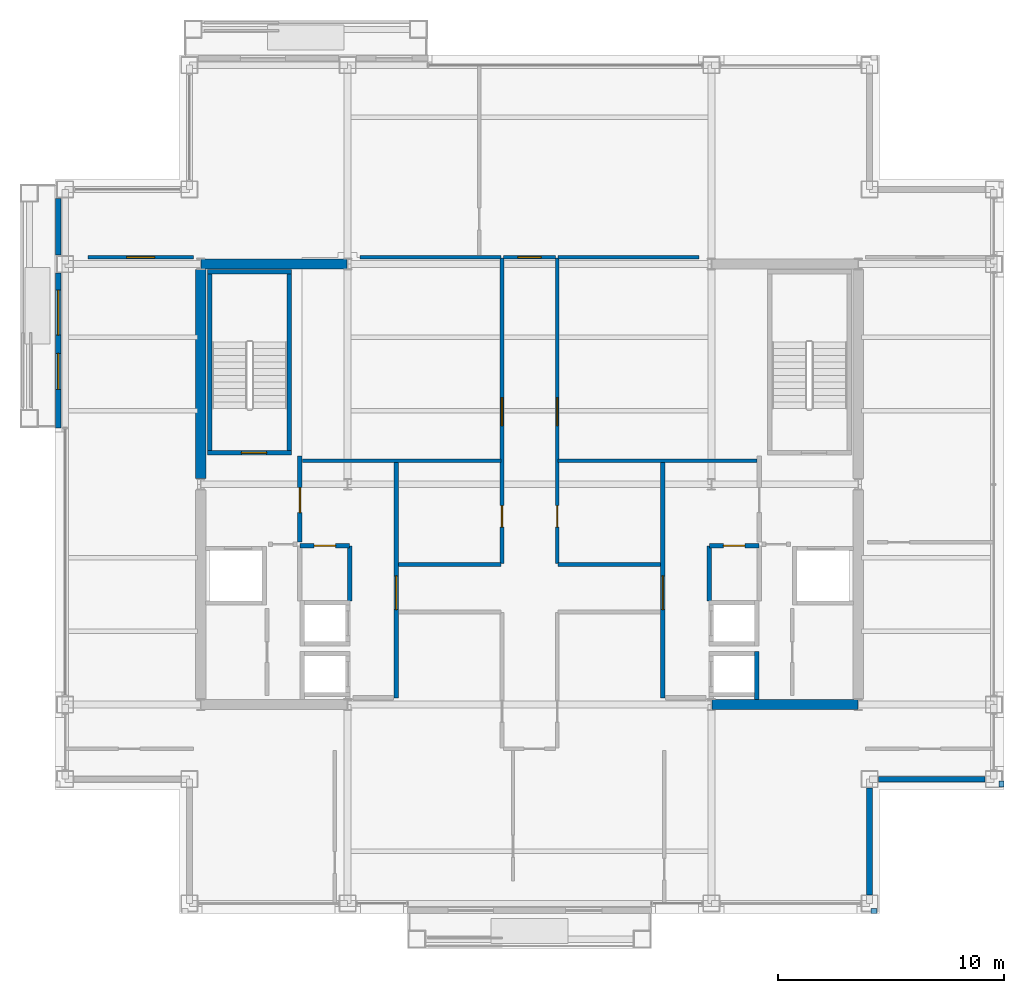
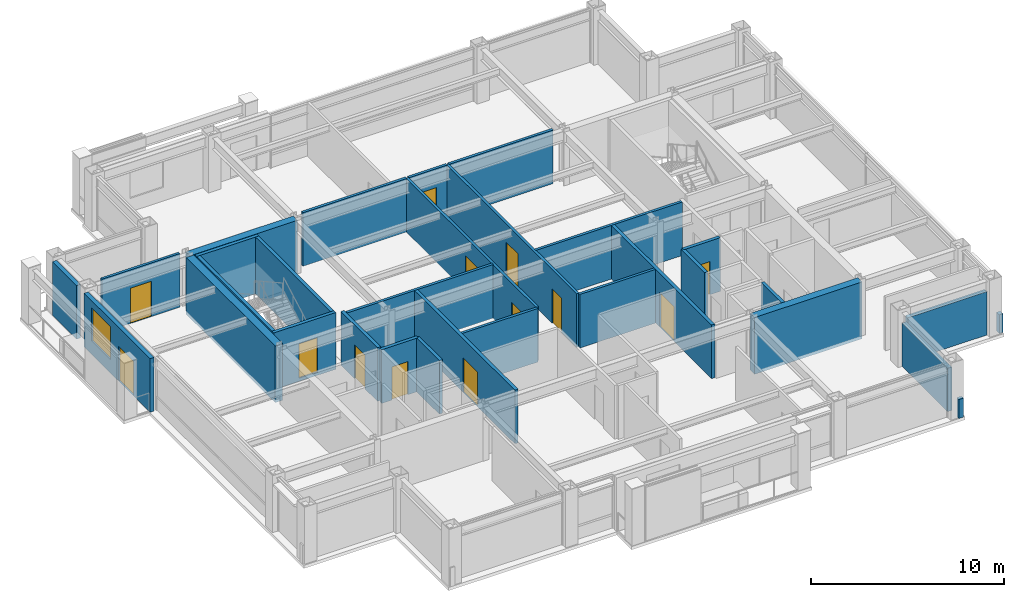
# One storey, part 24 of 27: 31 walls, 13 doors, 1 window, 14 openings.
"""IFC4 building model written with IfcOpenShell, lengths in metres."""

from ifc_helpers import new_model, si_unit, direction, frame, frame_2d, origin, place, context, subcontext, project, spatial, rectangle, extrude, material, layer, layer_set, type_object, element, fill, save


model = new_model("IFC4")

# Units and contexts
model_context = context("Model", 3, precision=1e-05, world=origin(), true_north=direction((0.0, 1.0)))
body_context = subcontext(model_context, "Body", "Model", "MODEL_VIEW")
ifc_project = project(units=[si_unit("LENGTHUNIT", "METRE"), si_unit("AREAUNIT", "SQUARE_METRE"), si_unit("VOLUMEUNIT", "CUBIC_METRE"), si_unit("PLANEANGLEUNIT", "RADIAN"), si_unit("MASSUNIT", "GRAM", prefix="KILO")], contexts=[model_context])

# Site, building, storey
site_placement = place(None, origin())
site = spatial("IfcSite", under=ifc_project, at=site_placement, CompositionType="ELEMENT")
building_placement = place(site_placement, origin())
building = spatial("IfcBuilding", under=site, at=building_placement, Name="Brelmoor Portico Tower", CompositionType="ELEMENT")
storey_placement = place(building_placement, frame((0.0, 0.0, 158.699951171875)))
storey = spatial("IfcBuildingStorey", under=building, at=storey_placement, Name="L41", CompositionType="ELEMENT", Elevation=158.699951171875)

# Walls
ifc_material_1 = material(Name="Concrete C50", Category="concrete")
ifc_layer_1 = layer(ifc_material_1, 0.449951171875)
ifc_layer_set_1 = layer_set([ifc_layer_1], Name="Concrete C50")
wall_type_1 = type_object("IfcWallType", Name="WL-CORE-450", PredefinedType="SHEAR", material=ifc_layer_set_1)
wall_1_placement = place(storey_placement, frame((-14.530029296875, 9.75, -0.199951171875), z_axis=(0.0, 0.0, 1.0), x_axis=(1.0, 0.0, 0.0)))
element("IfcWall", 1, at=wall_1_placement, inside=storey, type_object=wall_type_1, Name="L41 WC North Shear Wall", PredefinedType="SHEAR", context=body_context, shape_type="SweptSolid", body=[
    extrude(rectangle(XDim=6.4599609375, YDim=0.449951171875, at=frame_2d((3.22998046875, 0.0))), origin(), (0.0, 0.0, 1.0), 3.60009765625),
])
wall_2_placement = place(storey_placement, frame((-14.550048828125, 0.25, -0.199951171875), z_axis=(0.0, 0.0, 1.0), x_axis=(0.0, 1.0, 0.0)))
element("IfcWall", 2, at=wall_2_placement, inside=storey, type_object=wall_type_1, Name="L41 WC Outer North Shear Wall", PredefinedType="SHEAR", context=body_context, shape_type="SweptSolid", body=[
    extrude(rectangle(XDim=9.25, YDim=0.449951171875, at=frame_2d((4.625, 0.0))), origin(), (0.0, 0.0, 1.0), 3.60009765625),
])
wall_3_placement = place(storey_placement, frame((8.070068359375, -9.75, -0.199951171875), z_axis=(0.0, 0.0, 1.0), x_axis=(1.0, 0.0, 0.0)))
element("IfcWall", 3, at=wall_3_placement, inside=storey, type_object=wall_type_1, Name="L41 EC South Shear Wall", PredefinedType="SHEAR", context=body_context, shape_type="SweptSolid", body=[
    extrude(rectangle(XDim=6.4599609375, YDim=0.449951171875, at=frame_2d((3.22998046875, 0.0))), origin(), (0.0, 0.0, 1.0), 3.60009765625),
])

# Wall, openings, door, window
ifc_material_2 = material(Name="Precast Concrete C40 Insulated Facade Wall", Category="concrete")
ifc_layer_2 = layer(ifc_material_2, 0.25)
ifc_layer_set_2 = layer_set([ifc_layer_2], Name="Precast Concrete C40 Insulated Facade Wall")
wall_type_2 = type_object("IfcWallType", Name="WL-EXT-250", PredefinedType="STANDARD", material=ifc_layer_set_2)
wall_4_placement = place(storey_placement, frame((-20.860107421875, 2.5, 0.0), z_axis=(0.0, 0.0, 1.0), x_axis=(0.0, 1.0, 0.0)))
wall_4 = element("IfcWall", 4, at=wall_4_placement, inside=storey, type_object=wall_type_2, Name="L41 Loggia Threshold Wall W-1", PredefinedType="STANDARD", context=body_context, shape_type="SweptSolid", body=[
    extrude(rectangle(XDim=6.85498046875, YDim=0.25, at=frame_2d((3.427490234375, 0.0))), origin(), (0.0, 0.0, 1.0), 3.400146484375),
])
opening_1_placement = place(wall_4_placement, frame((1.699951171875, 0.0, 0.0)))
opening_1 = element("IfcOpeningElement", 5, at=opening_1_placement, cuts=wall_4, Name="Opening D-TB1", PredefinedType="OPENING", context=body_context, shape_type="SweptSolid", body=[
    extrude(rectangle(XDim=1.60009765625, YDim=2.199951171875, at=frame_2d((0.800048828125, 1.10009765625))), frame((0.0, 0.135009765625, 0.0), z_axis=(0.0, -1.0, 0.0), x_axis=(1.0, 0.0, 0.0)), (0.0, 0.0, 1.0), 0.27001953125),
])
opening_2_placement = place(wall_4_placement, frame((4.10009765625, 0.0, 0.85009765625)))
opening_2 = element("IfcOpeningElement", 6, at=opening_2_placement, cuts=wall_4, Name="Opening W-03", PredefinedType="OPENING", context=body_context, shape_type="SweptSolid", body=[
    extrude(rectangle(XDim=2.0, YDim=2.10009765625, at=frame_2d((1.0, 1.050048828125))), frame((0.0, 0.135009765625, 0.0), z_axis=(0.0, -1.0, 0.0), x_axis=(1.0, 0.0, 0.0)), (0.0, 0.0, 1.0), 0.27001953125),
])
ifc_material_3 = material(Name="Double-Leaf Thermally Broken Terrace Door", Category="aluminium")
door_type_1 = type_object("IfcDoorType", Name="DR-BALCONY-1600", OperationType="NOTDEFINED", PredefinedType="DOOR", material=ifc_material_3)
door_1_placement = place(opening_1_placement, origin())
door_1 = element("IfcDoor", 7, at=door_1_placement, inside=storey, type_object=door_type_1, Name="D-1773 L41 Tree Balcony Double Door W", OperationType="DOUBLE_DOOR_SINGLE_SWING", OverallHeight=2.199951171875, OverallWidth=1.60009765625, PredefinedType="DOOR", context=body_context, shape_type="SweptSolid", body=[
    extrude(rectangle(XDim=1.60009765625, YDim=2.199951171875, at=frame_2d((0.800048828125, 1.10009765625))), frame((0.0, 0.02490234375, 0.0), z_axis=(0.0, -1.0, 0.0), x_axis=(1.0, 0.0, 0.0)), (0.0, 0.0, 1.0), 0.050048828125),
])
fill(opening_1, door_1)
ifc_material_4 = material(Name="Thermally Broken Aluminium Low-E Window", Category="aluminium")
window_type = type_object("IfcWindowType", Name="WN-LOGGIA-2000x2100", PartitioningType="SINGLE_PANEL", PredefinedType="WINDOW", material=ifc_material_4)
window_placement = place(opening_2_placement, origin())
window = element("IfcWindow", 8, at=window_placement, inside=storey, type_object=window_type, Name="L41 Loggia Window W", OverallHeight=2.10009765625, OverallWidth=2.0, PartitioningType="SINGLE_PANEL", PredefinedType="WINDOW", context=body_context, shape_type="SweptSolid", body=[
    extrude(rectangle(XDim=2.0, YDim=2.10009765625, at=frame_2d((1.0, 1.050048828125))), frame((0.0, 0.030029296875, 0.0), z_axis=(0.0, -1.0, 0.0), x_axis=(1.0, 0.0, 0.0)), (0.0, 0.0, 1.0), 0.06005859375),
])
fill(opening_2, window)

# Walls
wall_5_placement = place(storey_placement, frame((-20.860107421875, 10.14501953125, 0.0), z_axis=(0.0, 0.0, 1.0), x_axis=(0.0, 1.0, 0.0)))
element("IfcWall", 9, at=wall_5_placement, inside=storey, type_object=wall_type_2, Name="L41 Loggia Threshold Wall W-2", PredefinedType="STANDARD", context=body_context, shape_type="SweptSolid", body=[
    extrude(rectangle(XDim=2.510009765625, YDim=0.25, at=frame_2d((1.2548828125, 0.0))), origin(), (0.0, 0.0, 1.0), 3.400146484375),
])
for number, where, z_axis, x_axis, name in (
    (10, (15.43505859375, -13.050048828125, 0.0), (0.0, 0.0, 1.0), (1.0, 0.0, 0.0), "L41 Corner Notch Facade Wall NSEH1"),
    (11, (15.050048828125, -18.1650390625, 0.0), (0.0, 0.0, 1.0), (0.0, 1.0, 0.0), "L41 Corner Notch Facade Wall NSEV1"),
):
    element("IfcWall", number, at=place(storey_placement, frame(where, z_axis=z_axis, x_axis=x_axis)), inside=storey, type_object=wall_type_2, Name=name, PredefinedType="STANDARD", context=body_context, shape_type="SweptSolid", body=[
        extrude(rectangle(XDim=4.72998046875, YDim=0.25, at=frame_2d((2.364990234375, 0.0))), origin(), (0.0, 0.0, 1.0), 2.75),
    ])
ifc_material_5 = material(Name="Concrete C40 Parapet Upstand", Category="concrete")
ifc_layer_3 = layer(ifc_material_5, 0.219970703125)
ifc_layer_set_3 = layer_set([ifc_layer_3], Name="Concrete C40 Parapet Upstand")
wall_type_3 = type_object("IfcWallType", Name="WL-PARAPET-220", PredefinedType="PARAPET", material=ifc_layer_set_3)
for number, where, z_axis, x_axis, name in (
    (12, (15.1201171875, -18.889892578125, 0.0), (0.0, 0.0, 1.0), (1.0, 0.0, 0.0), "L41 Chamfer Vertex Parapet Pier SE1"),
    (13, (20.889892578125, -13.389892578125, 0.0), (0.0, 0.0, 1.0), (0.0, 1.0, 0.0), "L41 Chamfer Vertex Parapet Pier SE2"),
):
    element("IfcWall", number, at=place(storey_placement, frame(where, z_axis=z_axis, x_axis=x_axis)), inside=storey, type_object=wall_type_3, Name=name, PredefinedType="PARAPET", context=body_context, shape_type="SweptSolid", body=[
        extrude(rectangle(XDim=0.269775390625, YDim=0.219970703125, at=frame_2d((0.134765625, 0.0))), origin(), (0.0, 0.0, 1.0), 1.199951171875),
    ])

# Wall, opening, door
ifc_material_6 = material(Name="Wet-Area Moisture-Resistant Partition", Category="gypsum")
ifc_layer_4 = layer(ifc_material_6, 0.14990234375)
ifc_layer_set_4 = layer_set([ifc_layer_4], Name="Wet-Area Moisture-Resistant Partition")
wall_type_4 = type_object("IfcWallType", Name="WL-PART-150", PredefinedType="PARTITIONING", material=ifc_layer_set_4)
wall_6_placement = place(storey_placement, frame((-19.550048828125, 10.050048828125, 0.0), z_axis=(0.0, 0.0, 1.0), x_axis=(1.0, 0.0, 0.0)))
wall_6 = element("IfcWall", 14, at=wall_6_placement, inside=storey, type_object=wall_type_4, Name="L41 North Wing Suite Wall WL", PredefinedType="PARTITIONING", context=body_context, shape_type="SweptSolid", body=[
    extrude(rectangle(XDim=4.670166015625, YDim=0.14990234375, at=frame_2d((2.3349609375, 0.0))), origin(), (0.0, 0.0, 1.0), 3.400146484375),
])
opening_3_placement = place(wall_6_placement, frame((1.715087890625, 0.0, 0.0)))
opening_3 = element("IfcOpeningElement", 15, at=opening_3_placement, cuts=wall_6, Name="Opening D-SU1", PredefinedType="OPENING", context=body_context, shape_type="SweptSolid", body=[
    extrude(rectangle(XDim=1.239990234375, YDim=2.239990234375, at=frame_2d((0.6201171875, 1.1201171875))), frame((0.0, 0.0849609375, 0.0), z_axis=(0.0, -1.0, 0.0), x_axis=(1.0, 0.0, 0.0)), (0.0, 0.0, 1.0), 0.169921875),
])
ifc_material_7 = material(Name="Glazed Timber Executive Suite Door", Category="wood")
door_type_2 = type_object("IfcDoorType", Name="DR-SUITE-1200", OperationType="NOTDEFINED", PredefinedType="DOOR", material=ifc_material_7)
door_2_placement = place(opening_3_placement, origin())
door_2 = element("IfcDoor", 16, at=door_2_placement, inside=storey, type_object=door_type_2, Name="D-1762 L41 WL Wing Suite Connecting Door", OperationType="SINGLE_SWING_LEFT", OverallHeight=2.239990234375, OverallWidth=1.239990234375, PredefinedType="DOOR", context=body_context, shape_type="SweptSolid", body=[
    extrude(rectangle(XDim=1.239990234375, YDim=2.239990234375, at=frame_2d((0.6201171875, 1.1201171875))), frame((0.0, 0.02490234375, 0.0), z_axis=(0.0, -1.0, 0.0), x_axis=(1.0, 0.0, 0.0)), (0.0, 0.0, 1.0), 0.050048828125),
])
fill(opening_3, door_2)

# Wall
ifc_material_8 = material(Name="Twin-Frame Acoustic Partition", Category="gypsum")
ifc_layer_5 = layer(ifc_material_8, 0.159912109375)
ifc_layer_set_5 = layer_set([ifc_layer_5], Name="Twin-Frame Acoustic Partition")
wall_type_5 = type_object("IfcWallType", Name="WL-PART-160", PredefinedType="PARTITIONING", material=ifc_layer_set_5)
wall_7_placement = place(storey_placement, frame((-10.050048828125, 1.050048828125, 0.0), z_axis=(0.0, 0.0, 1.0), x_axis=(1.0, 0.0, 0.0)))
element("IfcWall", 17, at=wall_7_placement, inside=storey, type_object=wall_type_5, Name="L41 West Reclaimed Suite South Wall", PredefinedType="PARTITIONING", context=body_context, shape_type="SweptSolid", body=[
    extrude(rectangle(XDim=8.7900390625, YDim=0.159912109375, at=frame_2d((4.39501953125, 0.0))), origin(), (0.0, 0.0, 1.0), 3.400146484375),
])

# Wall, openings, doors
wall_8_placement = place(storey_placement, frame((-1.219970703125, -3.5, 0.0), z_axis=(0.0, 0.0, 1.0), x_axis=(0.0, 1.0, 0.0)))
wall_8 = element("IfcWall", 18, at=wall_8_placement, inside=storey, type_object=wall_type_5, Name="L41 Central Cross West Wall", PredefinedType="PARTITIONING", context=body_context, shape_type="SweptSolid", body=[
    extrude(rectangle(XDim=13.510009765625, YDim=0.159912109375, at=frame_2d((6.7548828125, 0.0))), origin(), (0.0, 0.0, 1.0), 3.400146484375),
])
opening_4_placement = place(wall_8_placement, frame((6.10009765625, 0.0, 0.0)))
opening_4 = element("IfcOpeningElement", 19, at=opening_4_placement, cuts=wall_8, Name="Opening D-SU1", PredefinedType="OPENING", context=body_context, shape_type="SweptSolid", body=[
    extrude(rectangle(XDim=1.239990234375, YDim=2.239990234375, at=frame_2d((0.6201171875, 1.1201171875))), frame((0.0, 0.08984375, 0.0), z_axis=(0.0, -1.0, 0.0), x_axis=(1.0, 0.0, 0.0)), (0.0, 0.0, 1.0), 0.179931640625),
])
opening_5_placement = place(wall_8_placement, frame((1.60009765625, 0.0, 0.0)))
opening_5 = element("IfcOpeningElement", 20, at=opening_5_placement, cuts=wall_8, Name="Opening D-IN2", PredefinedType="OPENING", context=body_context, shape_type="SweptSolid", body=[
    extrude(rectangle(XDim=0.9599609375, YDim=2.179931640625, at=frame_2d((0.47998046875, 1.08984375))), frame((0.0, 0.08984375, 0.0), z_axis=(0.0, -1.0, 0.0), x_axis=(1.0, 0.0, 0.0)), (0.0, 0.0, 1.0), 0.179931640625),
])
ifc_material_9 = material(Name="Lacquered Timber Suite Door", Category="wood")
door_type_3 = type_object("IfcDoorType", Name="DR-INT-950", OperationType="NOTDEFINED", PredefinedType="DOOR", material=ifc_material_9)
door_3_placement = place(opening_5_placement, origin())
door_3 = element("IfcDoor", 21, at=door_3_placement, inside=storey, type_object=door_type_3, Name="D-1747 L41 Staff Pantry Door", OperationType="SINGLE_SWING_RIGHT", OverallHeight=2.179931640625, OverallWidth=0.9599609375, PredefinedType="DOOR", context=body_context, shape_type="SweptSolid", body=[
    extrude(rectangle(XDim=0.9599609375, YDim=2.179931640625, at=frame_2d((0.47998046875, 1.08984375))), frame((0.0, 0.02490234375, 0.0), z_axis=(0.0, -1.0, 0.0), x_axis=(1.0, 0.0, 0.0)), (0.0, 0.0, 1.0), 0.050048828125),
])
fill(opening_5, door_3)
door_4_placement = place(opening_4_placement, origin())
door_4 = element("IfcDoor", 22, at=door_4_placement, inside=storey, type_object=door_type_2, Name="D-1748 L41 West Reclaimed Studio Door", OperationType="SINGLE_SWING_LEFT", OverallHeight=2.239990234375, OverallWidth=1.239990234375, PredefinedType="DOOR", context=body_context, shape_type="SweptSolid", body=[
    extrude(rectangle(XDim=1.239990234375, YDim=2.239990234375, at=frame_2d((0.6201171875, 1.1201171875))), frame((0.0, 0.02490234375, 0.0), z_axis=(0.0, -1.0, 0.0), x_axis=(1.0, 0.0, 0.0)), (0.0, 0.0, 1.0), 0.050048828125),
])
fill(opening_4, door_4)

# Walls
wall_9_placement = place(storey_placement, frame((-7.5, 10.050048828125, 0.0), z_axis=(0.0, 0.0, 1.0), x_axis=(1.0, 0.0, 0.0)))
element("IfcWall", 23, at=wall_9_placement, inside=storey, type_object=wall_type_5, Name="L41 West Reclaimed Suite North Wall", PredefinedType="PARTITIONING", context=body_context, shape_type="SweptSolid", body=[
    extrude(rectangle(XDim=6.239990234375, YDim=0.159912109375, at=frame_2d((3.1201171875, 0.0))), origin(), (0.0, 0.0, 1.0), 3.400146484375),
])
wall_10_placement = place(storey_placement, frame((-5.800048828125, -3.550048828125, 0.0), z_axis=(0.0, 0.0, 1.0), x_axis=(1.0, 0.0, 0.0)))
element("IfcWall", 24, at=wall_10_placement, inside=storey, type_object=wall_type_5, Name="L41 West Pantry South Wall", PredefinedType="PARTITIONING", context=body_context, shape_type="SweptSolid", body=[
    extrude(rectangle(XDim=4.5400390625, YDim=0.159912109375, at=frame_2d((2.27001953125, 0.0))), origin(), (0.0, 0.0, 1.0), 3.400146484375),
])
wall_11_placement = place(storey_placement, frame((1.260009765625, 1.050048828125, 0.0), z_axis=(0.0, 0.0, 1.0), x_axis=(1.0, 0.0, 0.0)))
element("IfcWall", 25, at=wall_11_placement, inside=storey, type_object=wall_type_5, Name="L41 East Suite South Wall", PredefinedType="PARTITIONING", context=body_context, shape_type="SweptSolid", body=[
    extrude(rectangle(XDim=8.800048828125, YDim=0.159912109375, at=frame_2d((4.39990234375, 0.0))), origin(), (0.0, 0.0, 1.0), 3.400146484375),
])

# Wall, openings, doors
wall_12_placement = place(storey_placement, frame((1.219970703125, -3.5, 0.0), z_axis=(0.0, 0.0, 1.0), x_axis=(0.0, 1.0, 0.0)))
wall_12 = element("IfcWall", 26, at=wall_12_placement, inside=storey, type_object=wall_type_5, Name="L41 Central Cross East Wall", PredefinedType="PARTITIONING", context=body_context, shape_type="SweptSolid", body=[
    extrude(rectangle(XDim=13.510009765625, YDim=0.159912109375, at=frame_2d((6.7548828125, 0.0))), origin(), (0.0, 0.0, 1.0), 3.400146484375),
])
opening_6_placement = place(wall_12_placement, frame((6.10009765625, 0.0, 0.0)))
opening_6 = element("IfcOpeningElement", 27, at=opening_6_placement, cuts=wall_12, Name="Opening D-SU1", PredefinedType="OPENING", context=body_context, shape_type="SweptSolid", body=[
    extrude(rectangle(XDim=1.239990234375, YDim=2.239990234375, at=frame_2d((0.6201171875, 1.1201171875))), frame((0.0, 0.08984375, 0.0), z_axis=(0.0, -1.0, 0.0), x_axis=(1.0, 0.0, 0.0)), (0.0, 0.0, 1.0), 0.179931640625),
])
opening_7_placement = place(wall_12_placement, frame((1.60009765625, 0.0, 0.0)))
opening_7 = element("IfcOpeningElement", 28, at=opening_7_placement, cuts=wall_12, Name="Opening D-IN2", PredefinedType="OPENING", context=body_context, shape_type="SweptSolid", body=[
    extrude(rectangle(XDim=0.9599609375, YDim=2.179931640625, at=frame_2d((0.47998046875, 1.08984375))), frame((0.0, 0.08984375, 0.0), z_axis=(0.0, -1.0, 0.0), x_axis=(1.0, 0.0, 0.0)), (0.0, 0.0, 1.0), 0.179931640625),
])
door_5_placement = place(opening_7_placement, origin())
door_5 = element("IfcDoor", 29, at=door_5_placement, inside=storey, type_object=door_type_3, Name="D-1743 L41 Client Project Office Door", OperationType="SINGLE_SWING_RIGHT", OverallHeight=2.179931640625, OverallWidth=0.9599609375, PredefinedType="DOOR", context=body_context, shape_type="SweptSolid", body=[
    extrude(rectangle(XDim=0.9599609375, YDim=2.179931640625, at=frame_2d((0.47998046875, 1.08984375))), frame((0.0, 0.02490234375, 0.0), z_axis=(0.0, -1.0, 0.0), x_axis=(1.0, 0.0, 0.0)), (0.0, 0.0, 1.0), 0.050048828125),
])
fill(opening_7, door_5)
door_6_placement = place(opening_6_placement, origin())
door_6 = element("IfcDoor", 30, at=door_6_placement, inside=storey, type_object=door_type_2, Name="D-1744 L41 East Reclaimed Studio Door", OperationType="SINGLE_SWING_LEFT", OverallHeight=2.239990234375, OverallWidth=1.239990234375, PredefinedType="DOOR", context=body_context, shape_type="SweptSolid", body=[
    extrude(rectangle(XDim=1.239990234375, YDim=2.239990234375, at=frame_2d((0.6201171875, 1.1201171875))), frame((0.0, 0.02490234375, 0.0), z_axis=(0.0, -1.0, 0.0), x_axis=(1.0, 0.0, 0.0)), (0.0, 0.0, 1.0), 0.050048828125),
])
fill(opening_6, door_6)

# Walls
wall_13_placement = place(storey_placement, frame((1.260009765625, 10.050048828125, 0.0), z_axis=(0.0, 0.0, 1.0), x_axis=(1.0, 0.0, 0.0)))
element("IfcWall", 31, at=wall_13_placement, inside=storey, type_object=wall_type_5, Name="L41 East Suite North Wall", PredefinedType="PARTITIONING", context=body_context, shape_type="SweptSolid", body=[
    extrude(rectangle(XDim=6.239990234375, YDim=0.159912109375, at=frame_2d((3.1201171875, 0.0))), origin(), (0.0, 0.0, 1.0), 3.400146484375),
])
wall_14_placement = place(storey_placement, frame((1.260009765625, -3.550048828125, 0.0), z_axis=(0.0, 0.0, 1.0), x_axis=(1.0, 0.0, 0.0)))
element("IfcWall", 32, at=wall_14_placement, inside=storey, type_object=wall_type_5, Name="L41 East Office South Wall", PredefinedType="PARTITIONING", context=body_context, shape_type="SweptSolid", body=[
    extrude(rectangle(XDim=4.5400390625, YDim=0.159912109375, at=frame_2d((2.27001953125, 0.0))), origin(), (0.0, 0.0, 1.0), 3.400146484375),
])

# Wall, opening, door
wall_15_placement = place(storey_placement, frame((-1.14990234375, 10.050048828125, 0.0), z_axis=(0.0, 0.0, 1.0), x_axis=(1.0, 0.0, 0.0)))
wall_15 = element("IfcWall", 33, at=wall_15_placement, inside=storey, type_object=wall_type_5, Name="L41 North Corridor Partition", PredefinedType="PARTITIONING", context=body_context, shape_type="SweptSolid", body=[
    extrude(rectangle(XDim=2.2998046875, YDim=0.159912109375, at=frame_2d((1.14990234375, 0.0))), origin(), (0.0, 0.0, 1.0), 3.400146484375),
])
opening_8_placement = place(wall_15_placement, frame((0.639892578125, 0.0, 0.0)))
opening_8 = element("IfcOpeningElement", 34, at=opening_8_placement, cuts=wall_15, Name="Opening D-OF1", PredefinedType="OPENING", context=body_context, shape_type="SweptSolid", body=[
    extrude(rectangle(XDim=1.02001953125, YDim=2.199951171875, at=frame_2d((0.510009765625, 1.10009765625))), frame((0.0, 0.08984375, 0.0), z_axis=(0.0, -1.0, 0.0), x_axis=(1.0, 0.0, 0.0)), (0.0, 0.0, 1.0), 0.179931640625),
])
ifc_material_10 = material(Name="Hardwood Acoustic Veneer Door", Category="wood")
door_type_4 = type_object("IfcDoorType", Name="DR-OFFICE-1000", OperationType="NOTDEFINED", PredefinedType="DOOR", material=ifc_material_10)
door_7_placement = place(opening_8_placement, origin())
door_7 = element("IfcDoor", 35, at=door_7_placement, inside=storey, type_object=door_type_4, Name="D-1759 L41 North Staff Tea Pantry 2 Door", OperationType="SINGLE_SWING_RIGHT", OverallHeight=2.199951171875, OverallWidth=1.02001953125, PredefinedType="DOOR", context=body_context, shape_type="SweptSolid", body=[
    extrude(rectangle(XDim=1.02001953125, YDim=2.199951171875, at=frame_2d((0.510009765625, 1.10009765625))), frame((0.0, 0.02490234375, 0.0), z_axis=(0.0, -1.0, 0.0), x_axis=(1.0, 0.0, 0.0)), (0.0, 0.0, 1.0), 0.050048828125),
])
fill(opening_8, door_7)

ifc_material_11 = material(Name="Double-Stud Gypsum Fire Partition", Category="gypsum")
ifc_layer_6 = layer(ifc_material_11, 0.199951171875)
ifc_layer_set_6 = layer_set([ifc_layer_6], Name="Double-Stud Gypsum Fire Partition")
wall_type_6 = type_object("IfcWallType", Name="WL-PART-200", PredefinedType="PARTITIONING", material=ifc_layer_set_6)
wall_16_placement = place(storey_placement, frame((-5.89990234375, -9.449951171875, 0.0), z_axis=(0.0, 0.0, 1.0), x_axis=(0.0, 1.0, 0.0)))
wall_16 = element("IfcWall", 36, at=wall_16_placement, inside=storey, type_object=wall_type_6, Name="L41 W Core Lobby Compartment Wall", PredefinedType="PARTITIONING", context=body_context, shape_type="SweptSolid", body=[
    extrude(rectangle(XDim=10.5, YDim=0.199951171875, at=frame_2d((5.25, 0.0))), origin(), (0.0, 0.0, 1.0), 3.400146484375),
])
opening_9_placement = place(wall_16_placement, frame((3.89990234375, 0.0, 0.0)))
opening_9 = element("IfcOpeningElement", 37, at=opening_9_placement, cuts=wall_16, Name="Opening D-LB1", PredefinedType="OPENING", context=body_context, shape_type="SweptSolid", body=[
    extrude(rectangle(XDim=1.5, YDim=2.199951171875, at=frame_2d((0.75, 1.10009765625))), frame((0.0, 0.10986328125, 0.0), z_axis=(0.0, -1.0, 0.0), x_axis=(1.0, 0.0, 0.0)), (0.0, 0.0, 1.0), 0.219970703125),
])
ifc_material_12 = material(Name="Double-Leaf Glazed Steel Fire Door", Category="steel")
door_type_5 = type_object("IfcDoorType", Name="DR-LOBBY-1500", OperationType="NOTDEFINED", PredefinedType="DOOR", material=ifc_material_12)
door_8_placement = place(opening_9_placement, origin())
door_8 = element("IfcDoor", 38, at=door_8_placement, inside=storey, type_object=door_type_5, Name="D-1758 L41 W Lift Lobby Main Door", OperationType="DOUBLE_DOOR_SINGLE_SWING", OverallHeight=2.199951171875, OverallWidth=1.5, PredefinedType="DOOR", context=body_context, shape_type="SweptSolid", body=[
    extrude(rectangle(XDim=1.5, YDim=2.199951171875, at=frame_2d((0.75, 1.10009765625))), frame((0.0, 0.02490234375, 0.0), z_axis=(0.0, -1.0, 0.0), x_axis=(1.0, 0.0, 0.0)), (0.0, 0.0, 1.0), 0.050048828125),
])
fill(opening_9, door_8)

wall_17_placement = place(storey_placement, frame((-10.159912109375, -2.550048828125, 0.0), z_axis=(0.0, 0.0, 1.0), x_axis=(0.0, 1.0, 0.0)))
wall_17 = element("IfcWall", 39, at=wall_17_placement, inside=storey, type_object=wall_type_6, Name="L41 W Firefighting Lobby Wall", PredefinedType="PARTITIONING", context=body_context, shape_type="SweptSolid", body=[
    extrude(rectangle(XDim=3.800048828125, YDim=0.199951171875, at=frame_2d((1.89990234375, 0.0))), origin(), (0.0, 0.0, 1.0), 3.400146484375),
])
opening_10_placement = place(wall_17_placement, frame((1.300048828125, 0.0, 0.0)))
opening_10 = element("IfcOpeningElement", 40, at=opening_10_placement, cuts=wall_17, Name="Opening D-FR1", PredefinedType="OPENING", context=body_context, shape_type="SweptSolid", body=[
    extrude(rectangle(XDim=1.10009765625, YDim=2.14990234375, at=frame_2d((0.550048828125, 1.074951171875))), frame((0.0, 0.10986328125, 0.0), z_axis=(0.0, -1.0, 0.0), x_axis=(1.0, 0.0, 0.0)), (0.0, 0.0, 1.0), 0.219970703125),
])
ifc_material_13 = material(Name="Painted Galvanised Steel Fire Door", Category="steel")
door_type_6 = type_object("IfcDoorType", Name="DR-FIRE-1100", OperationType="NOTDEFINED", PredefinedType="DOOR", material=ifc_material_13)
door_9_placement = place(opening_10_placement, origin())
door_9 = element("IfcDoor", 41, at=door_9_placement, inside=storey, type_object=door_type_6, Name="D-1756 L41 W Firefighting Lobby Door", OperationType="SINGLE_SWING_LEFT", OverallHeight=2.14990234375, OverallWidth=1.10009765625, PredefinedType="DOOR", context=body_context, shape_type="SweptSolid", body=[
    extrude(rectangle(XDim=1.10009765625, YDim=2.14990234375, at=frame_2d((0.550048828125, 1.074951171875))), frame((0.0, 0.02490234375, 0.0), z_axis=(0.0, -1.0, 0.0), x_axis=(1.0, 0.0, 0.0)), (0.0, 0.0, 1.0), 0.050048828125),
])
fill(opening_10, door_9)

wall_18_placement = place(storey_placement, frame((-7.9599609375, -2.719970703125, 0.0), z_axis=(0.0, 0.0, 1.0), x_axis=(-1.0, 0.0, 0.0)))
wall_18 = element("IfcWall", 42, at=wall_18_placement, inside=storey, type_object=wall_type_6, Name="L41 W Electrical Switchgear Closet Wall", PredefinedType="PARTITIONING", context=body_context, shape_type="SweptSolid", body=[
    extrude(rectangle(XDim=2.199951171875, YDim=0.199951171875, at=frame_2d((1.10009765625, 0.0))), origin(), (0.0, 0.0, 1.0), 3.400146484375),
])
opening_11_placement = place(wall_18_placement, frame((0.6201171875, 0.0, 0.0)))
opening_11 = element("IfcOpeningElement", 43, at=opening_11_placement, cuts=wall_18, Name="Opening D-FR4", PredefinedType="OPENING", context=body_context, shape_type="SweptSolid", body=[
    extrude(rectangle(XDim=0.949951171875, YDim=2.10009765625, at=frame_2d((0.47509765625, 1.050048828125))), frame((0.0, 0.10986328125, 0.0), z_axis=(0.0, -1.0, 0.0), x_axis=(1.0, 0.0, 0.0)), (0.0, 0.0, 1.0), 0.219970703125),
])
ifc_material_14 = material(Name="Painted Galvanised Steel Riser Door", Category="steel")
door_type_7 = type_object("IfcDoorType", Name="DR-FIRE-950", OperationType="NOTDEFINED", PredefinedType="DOOR", material=ifc_material_14)
door_10_placement = place(opening_11_placement, origin())
door_10 = element("IfcDoor", 44, at=door_10_placement, inside=storey, type_object=door_type_7, Name="D-1754 L41 W Electrical Switchgear Closet Door", OperationType="SINGLE_SWING_LEFT", OverallHeight=2.10009765625, OverallWidth=0.949951171875, PredefinedType="DOOR", context=body_context, shape_type="SweptSolid", body=[
    extrude(rectangle(XDim=0.949951171875, YDim=2.10009765625, at=frame_2d((0.47509765625, 1.050048828125))), frame((0.0, 0.02490234375, 0.0), z_axis=(0.0, -1.0, 0.0), x_axis=(1.0, 0.0, 0.0)), (0.0, 0.0, 1.0), 0.050048828125),
])
fill(opening_11, door_10)

# Wall
wall_19_placement = place(storey_placement, frame((-7.9599609375, -5.159912109375, 0.0), z_axis=(0.0, 0.0, 1.0), x_axis=(0.0, 1.0, 0.0)))
element("IfcWall", 45, at=wall_19_placement, inside=storey, type_object=wall_type_6, Name="L41 W Electrical Switchgear Closet Inner Wall", PredefinedType="PARTITIONING", context=body_context, shape_type="SweptSolid", body=[
    extrude(rectangle(XDim=2.43994140625, YDim=0.199951171875, at=frame_2d((1.219970703125, 0.0))), origin(), (0.0, 0.0, 1.0), 3.400146484375),
])

# Wall, opening, door
wall_20_placement = place(storey_placement, frame((5.89990234375, -9.449951171875, 0.0), z_axis=(0.0, 0.0, 1.0), x_axis=(0.0, 1.0, 0.0)))
wall_20 = element("IfcWall", 46, at=wall_20_placement, inside=storey, type_object=wall_type_6, Name="L41 E Core Lobby Compartment Wall", PredefinedType="PARTITIONING", context=body_context, shape_type="SweptSolid", body=[
    extrude(rectangle(XDim=10.5, YDim=0.199951171875, at=frame_2d((5.25, 0.0))), origin(), (0.0, 0.0, 1.0), 3.400146484375),
])
opening_12_placement = place(wall_20_placement, frame((3.89990234375, 0.0, 0.0)))
opening_12 = element("IfcOpeningElement", 47, at=opening_12_placement, cuts=wall_20, Name="Opening D-LB1", PredefinedType="OPENING", context=body_context, shape_type="SweptSolid", body=[
    extrude(rectangle(XDim=1.5, YDim=2.199951171875, at=frame_2d((0.75, 1.10009765625))), frame((0.0, 0.10986328125, 0.0), z_axis=(0.0, -1.0, 0.0), x_axis=(1.0, 0.0, 0.0)), (0.0, 0.0, 1.0), 0.219970703125),
])
door_11_placement = place(opening_12_placement, origin())
door_11 = element("IfcDoor", 48, at=door_11_placement, inside=storey, type_object=door_type_5, Name="D-1757 L41 E Lift Lobby Main Door", OperationType="DOUBLE_DOOR_SINGLE_SWING", OverallHeight=2.199951171875, OverallWidth=1.5, PredefinedType="DOOR", context=body_context, shape_type="SweptSolid", body=[
    extrude(rectangle(XDim=1.5, YDim=2.199951171875, at=frame_2d((0.75, 1.10009765625))), frame((0.0, 0.02490234375, 0.0), z_axis=(0.0, -1.0, 0.0), x_axis=(1.0, 0.0, 0.0)), (0.0, 0.0, 1.0), 0.050048828125),
])
fill(opening_12, door_11)

wall_21_placement = place(storey_placement, frame((7.9599609375, -2.719970703125, 0.0), z_axis=(0.0, 0.0, 1.0), x_axis=(1.0, 0.0, 0.0)))
wall_21 = element("IfcWall", 49, at=wall_21_placement, inside=storey, type_object=wall_type_6, Name="L41 E Electrical Switchgear Closet Wall", PredefinedType="PARTITIONING", context=body_context, shape_type="SweptSolid", body=[
    extrude(rectangle(XDim=2.199951171875, YDim=0.199951171875, at=frame_2d((1.10009765625, 0.0))), origin(), (0.0, 0.0, 1.0), 3.400146484375),
])
opening_13_placement = place(wall_21_placement, frame((0.6201171875, 0.0, 0.0)))
opening_13 = element("IfcOpeningElement", 50, at=opening_13_placement, cuts=wall_21, Name="Opening D-FR4", PredefinedType="OPENING", context=body_context, shape_type="SweptSolid", body=[
    extrude(rectangle(XDim=0.949951171875, YDim=2.10009765625, at=frame_2d((0.47509765625, 1.050048828125))), frame((0.0, 0.10986328125, 0.0), z_axis=(0.0, -1.0, 0.0), x_axis=(1.0, 0.0, 0.0)), (0.0, 0.0, 1.0), 0.219970703125),
])
door_12_placement = place(opening_13_placement, origin())
door_12 = element("IfcDoor", 51, at=door_12_placement, inside=storey, type_object=door_type_7, Name="D-1753 L41 E Electrical Switchgear Closet Door", OperationType="SINGLE_SWING_LEFT", OverallHeight=2.10009765625, OverallWidth=0.949951171875, PredefinedType="DOOR", context=body_context, shape_type="SweptSolid", body=[
    extrude(rectangle(XDim=0.949951171875, YDim=2.10009765625, at=frame_2d((0.47509765625, 1.050048828125))), frame((0.0, 0.02490234375, 0.0), z_axis=(0.0, -1.0, 0.0), x_axis=(1.0, 0.0, 0.0)), (0.0, 0.0, 1.0), 0.050048828125),
])
fill(opening_13, door_12)

# Walls
wall_22_placement = place(storey_placement, frame((7.9599609375, -5.159912109375, 0.0), z_axis=(0.0, 0.0, 1.0), x_axis=(0.0, 1.0, 0.0)))
element("IfcWall", 52, at=wall_22_placement, inside=storey, type_object=wall_type_6, Name="L41 E Electrical Switchgear Closet Inner Wall", PredefinedType="PARTITIONING", context=body_context, shape_type="SweptSolid", body=[
    extrude(rectangle(XDim=2.43994140625, YDim=0.199951171875, at=frame_2d((1.219970703125, 0.0))), origin(), (0.0, 0.0, 1.0), 3.400146484375),
])
ifc_material_15 = material(Name="Precast Concrete C40", Category="concrete")
ifc_layer_7 = layer(ifc_material_15, 0.18994140625)
ifc_layer_set_7 = layer_set([ifc_layer_7], Name="Precast Concrete C40")
wall_type_7 = type_object("IfcWallType", Name="WL-SHAFT-180", PredefinedType="SOLIDWALL", material=ifc_layer_set_7)
wall_23_placement = place(storey_placement, frame((10.054931640625, -9.52001953125, -0.199951171875), z_axis=(0.0, 0.0, 1.0), x_axis=(0.0, 1.0, 0.0)))
element("IfcWall", 53, at=wall_23_placement, inside=storey, type_object=wall_type_7, Name="L41 Lift PH3 Hoistway Back Wall", PredefinedType="SOLIDWALL", context=body_context, shape_type="SweptSolid", body=[
    extrude(rectangle(XDim=2.1201171875, YDim=0.18994140625, at=frame_2d((1.06005859375, 0.0))), origin(), (0.0, 0.0, 1.0), 3.60009765625),
])
ifc_material_16 = material(Name="Concrete C40", Category="concrete")
ifc_layer_8 = layer(ifc_material_16, 0.199951171875)
ifc_layer_set_8 = layer_set([ifc_layer_8], Name="Concrete C40")
wall_type_8 = type_object("IfcWallType", Name="WL-SHAFT-RC200", PredefinedType="SOLIDWALL", material=ifc_layer_set_8)
wall_24_placement = place(storey_placement, frame((-14.14990234375, 1.5, -0.199951171875), z_axis=(0.0, 0.0, 1.0), x_axis=(0.0, 1.0, 0.0)))
element("IfcWall", 54, at=wall_24_placement, inside=storey, type_object=wall_type_8, Name="L41 ST-W Structural Stair Wall Outer", PredefinedType="SOLIDWALL", context=body_context, shape_type="SweptSolid", body=[
    extrude(rectangle(XDim=7.800048828125, YDim=0.199951171875, at=frame_2d((3.89990234375, 0.0))), origin(), (0.0, 0.0, 1.0), 3.60009765625),
])

# Wall, opening, door
wall_25_placement = place(storey_placement, frame((-14.25, 1.39990234375, -0.199951171875), z_axis=(0.0, 0.0, 1.0), x_axis=(1.0, 0.0, 0.0)))
wall_25 = element("IfcWall", 55, at=wall_25_placement, inside=storey, type_object=wall_type_8, Name="L41 ST-W Structural Stair Wall S", PredefinedType="SOLIDWALL", context=body_context, shape_type="SweptSolid", body=[
    extrude(rectangle(XDim=3.719970703125, YDim=0.199951171875, at=frame_2d((1.85986328125, 0.0))), origin(), (0.0, 0.0, 1.0), 3.60009765625),
])
opening_14_placement = place(wall_25_placement, frame((1.5, 0.0, 0.199951171875)))
opening_14 = element("IfcOpeningElement", 56, at=opening_14_placement, cuts=wall_25, Name="Opening D-ST1", PredefinedType="OPENING", context=body_context, shape_type="SweptSolid", body=[
    extrude(rectangle(XDim=1.1201171875, YDim=2.179931640625, at=frame_2d((0.56005859375, 1.08984375))), frame((0.0, 0.10986328125, 0.0), z_axis=(0.0, -1.0, 0.0), x_axis=(1.0, 0.0, 0.0)), (0.0, 0.0, 1.0), 0.219970703125),
])
door_type_8 = type_object("IfcDoorType", Name="DR-STAIR-1100", OperationType="NOTDEFINED", PredefinedType="DOOR", material=ifc_material_13)
door_13_placement = place(opening_14_placement, origin())
door_13 = element("IfcDoor", 57, at=door_13_placement, inside=storey, type_object=door_type_8, Name="D-1768 L41 ST-W Protected Exit Stair Door", OperationType="SINGLE_SWING_LEFT", OverallHeight=2.179931640625, OverallWidth=1.1201171875, PredefinedType="DOOR", context=body_context, shape_type="SweptSolid", body=[
    extrude(rectangle(XDim=1.1201171875, YDim=2.179931640625, at=frame_2d((0.56005859375, 1.08984375))), frame((0.0, 0.02490234375, 0.0), z_axis=(0.0, -1.0, 0.0), x_axis=(1.0, 0.0, 0.0)), (0.0, 0.0, 1.0), 0.050048828125),
])
fill(opening_14, door_13)

# Walls
wall_26_placement = place(storey_placement, frame((-14.25, 9.39990234375, -0.199951171875), z_axis=(0.0, 0.0, 1.0), x_axis=(1.0, 0.0, 0.0)))
element("IfcWall", 58, at=wall_26_placement, inside=storey, type_object=wall_type_8, Name="L41 ST-W Structural Stair Wall N", PredefinedType="SOLIDWALL", context=body_context, shape_type="SweptSolid", body=[
    extrude(rectangle(XDim=3.719970703125, YDim=0.199951171875, at=frame_2d((1.85986328125, 0.0))), origin(), (0.0, 0.0, 1.0), 3.60009765625),
])
wall_27_placement = place(storey_placement, frame((-10.6298828125, 1.5, -0.199951171875), z_axis=(0.0, 0.0, 1.0), x_axis=(0.0, 1.0, 0.0)))
element("IfcWall", 59, at=wall_27_placement, inside=storey, type_object=wall_type_8, Name="L41 ST-W Structural Stair Wall Inner", PredefinedType="SOLIDWALL", context=body_context, shape_type="SweptSolid", body=[
    extrude(rectangle(XDim=7.800048828125, YDim=0.199951171875, at=frame_2d((3.89990234375, 0.0))), origin(), (0.0, 0.0, 1.0), 3.60009765625),
])

save(model, "model.ifc")
